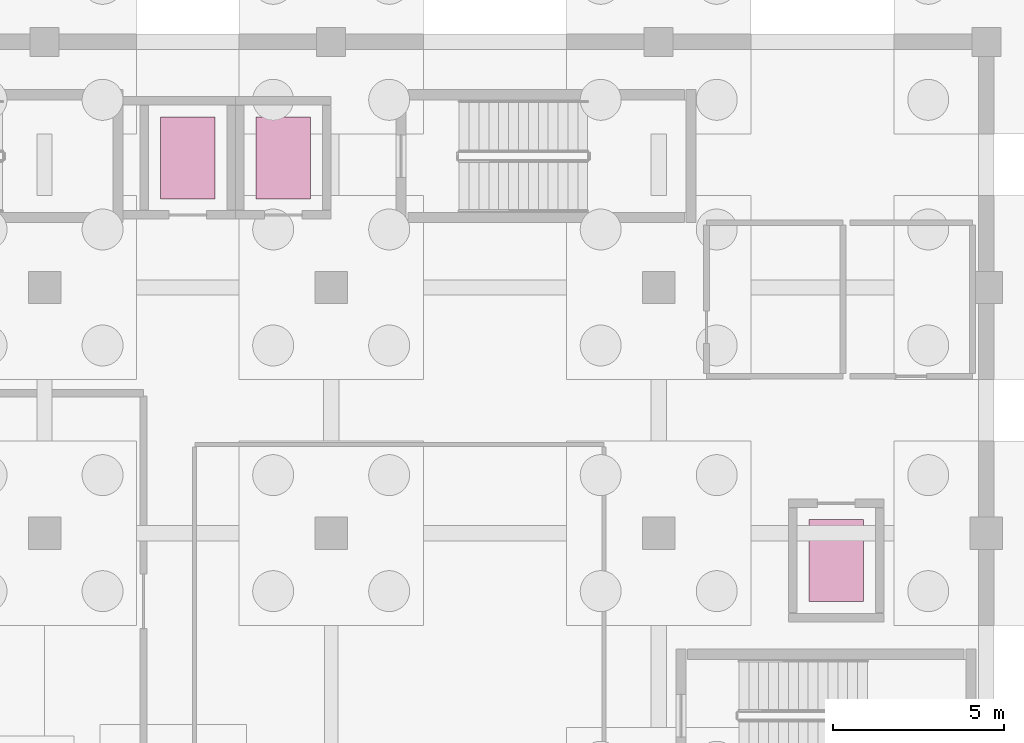
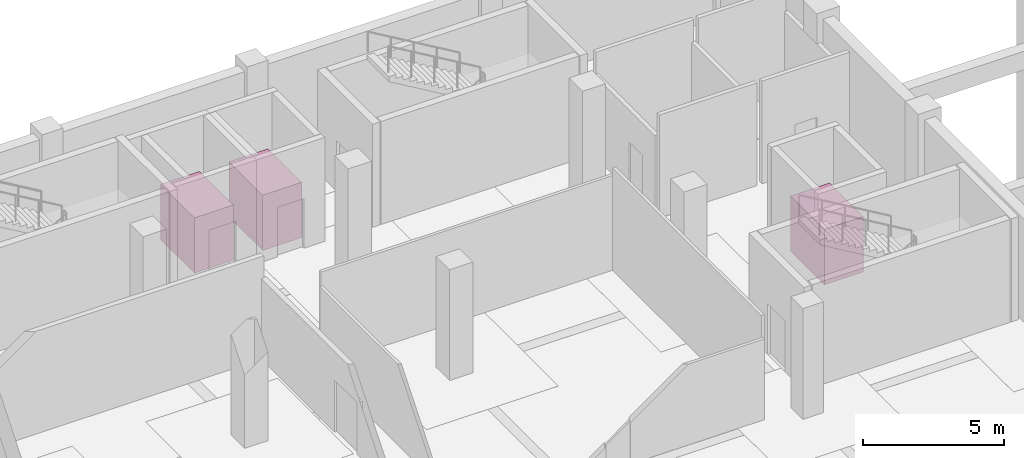
# One storey, part 44 of 44: 3 transport elements.
"""IFC4 building model written with IfcOpenShell, lengths in metres."""

from ifc_helpers import new_model, si_unit, direction, frame, origin, origin_2d, place, context, subcontext, project, spatial, rectangle, extrude, material, type_object, element, save


model = new_model("IFC4")

# Units and contexts
model_context = context("Model", 3, precision=1e-05, world=origin(), true_north=direction((0.0, 1.0)))
body_context = subcontext(model_context, "Body", "Model", "MODEL_VIEW")
ifc_project = project(units=[si_unit("LENGTHUNIT", "METRE"), si_unit("AREAUNIT", "SQUARE_METRE"), si_unit("VOLUMEUNIT", "CUBIC_METRE"), si_unit("PLANEANGLEUNIT", "RADIAN"), si_unit("MASSUNIT", "GRAM", prefix="KILO")], contexts=[model_context])

# Site, building, storey
site_placement = place(None, origin())
site = spatial("IfcSite", under=ifc_project, at=site_placement, CompositionType="ELEMENT")
building_placement = place(site_placement, origin())
building = spatial("IfcBuilding", under=site, at=building_placement, Name="Kisaragi Civic Commons", CompositionType="ELEMENT")
storey_placement = place(building_placement, frame((0.0, 0.0, -4.800048828125)))
storey = spatial("IfcBuildingStorey", under=building, at=storey_placement, Name="B1", CompositionType="ELEMENT", Elevation=-4.800048828125)

# Transport elements
ifc_material = material(Name="Brushed stainless steel barrier-free elevator cab", Category="steel")
transport_element_type = type_object("IfcTransportElementType", Name="LFT-1600", PredefinedType="ELEVATOR", material=ifc_material)
for number, where, z_axis, x_axis, name in (
    (1, (109.800048828125, 115.39990234375, 0.0), (0.0, 0.0, 1.0), (1.0, 0.0, 0.0), "Passenger elevator EL-L1"),
    (2, (112.60009765625, 115.39990234375, 0.0), (0.0, 0.0, 1.0), (1.0, 0.0, 0.0), "Passenger elevator EL-L2"),
    (3, (128.800048828125, 103.60009765625, 0.0), (0.0, 0.0, 1.0), (1.0, 0.0, 0.0), "Passenger elevator EL-L3"),
):
    element("IfcTransportElement", number, at=place(storey_placement, frame(where, z_axis=z_axis, x_axis=x_axis)), inside=storey, type_object=transport_element_type, Name=name, PredefinedType="ELEVATOR", context=body_context, shape_type="SweptSolid", body=[
        extrude(rectangle(XDim=1.60009765625, YDim=2.39990234375, at=origin_2d()), origin(), (0.0, 0.0, 1.0), 2.39990234375),
    ])

save(model, "model.ifc")
